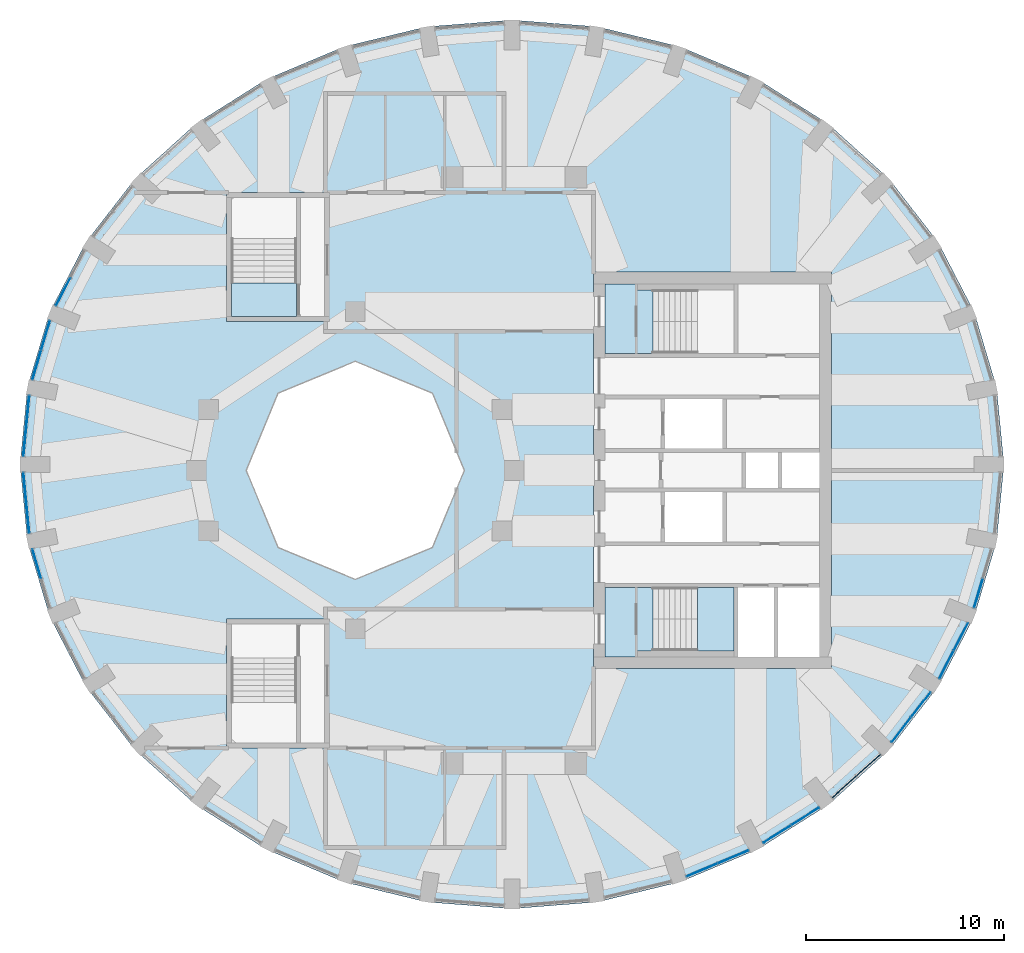
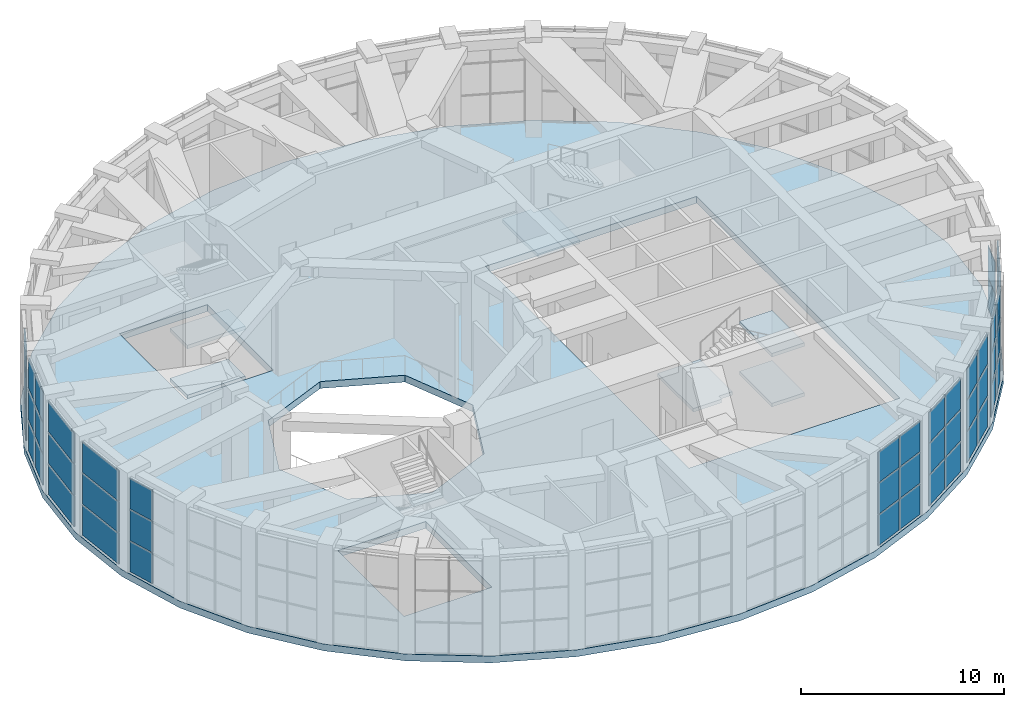
# One storey, part 13 of 20: 50 plates, 7 slabs, 14 elements without a shape of their own.
"""IFC4 building model written with IfcOpenShell, lengths in metres."""

from ifc_helpers import new_model, si_unit, direction, frame, origin, origin_2d, place, context, subcontext, project, spatial, polyline, rectangle, outline, extrude, material, layer, layer_set, type_object, element, aggregate, save


model = new_model("IFC4")

# Units and contexts
model_context = context("Model", 3, precision=1e-05, world=origin(), true_north=direction((0.0, 1.0)))
body_context = subcontext(model_context, "Body", "Model", "MODEL_VIEW")
ifc_project = project(units=[si_unit("LENGTHUNIT", "METRE"), si_unit("AREAUNIT", "SQUARE_METRE"), si_unit("VOLUMEUNIT", "CUBIC_METRE"), si_unit("PLANEANGLEUNIT", "RADIAN"), si_unit("MASSUNIT", "GRAM", prefix="KILO")], contexts=[model_context])

# Site, building, storey
site_placement = place(None, origin())
site = spatial("IfcSite", under=ifc_project, at=site_placement, CompositionType="ELEMENT")
building_placement = place(site_placement, origin())
building = spatial("IfcBuilding", under=site, at=building_placement, Name="Taillehof Tower", CompositionType="ELEMENT")
storey_placement = place(building_placement, frame((0.0, 0.0, 269.199951171875)))
storey = spatial("IfcBuildingStorey", under=building, at=storey_placement, Name="L76", CompositionType="ELEMENT", Elevation=269.199951171875)

# Slab
ifc_material_1 = material(Name="Concrete C40/50", Category="concrete")
ifc_layer_1 = layer(ifc_material_1, 0.409912109375)
ifc_layer_set_1 = layer_set([ifc_layer_1], Name="Floor slab 410")
slab_type_1 = type_object("IfcSlabType", Name="Floor slab 410", PredefinedType="FLOOR", material=ifc_layer_set_1)
slab_1_placement = place(storey_placement, frame((0.0, 0.0, -0.409912109375)))
element("IfcSlab", 1, at=slab_1_placement, inside=storey, type_object=slab_type_1, Name="Floor slab L76", PredefinedType="FLOOR", context=body_context, shape_type="SweptSolid", body=[
    extrude(outline(polyline([(24.699951171875, 0.300048828125), (24.3232421875, 4.189697265625), (23.204345703125, 7.961181640625), (21.37744140625, 11.5), (18.89794921875, 14.698486328125), (15.841064453125, 17.45947265625), (12.300048828125, 19.698974609375), (8.382080078125, 21.34912109375), (4.20654296875, 22.359619140625), (-0.10009765625, 22.699951171875), (-4.406494140625, 22.359619140625), (-8.58203125, 21.34912109375), (-12.5, 19.698974609375), (-16.041015625, 17.45947265625), (-19.097900390625, 14.698486328125), (-21.577392578125, 11.5), (-23.404296875, 7.961181640625), (-24.523193359375, 4.189697265625), (-24.89990234375, 0.300048828125), (-24.523193359375, -3.589599609375), (-23.404296875, -7.361328125), (-21.577392578125, -10.89990234375), (-19.097900390625, -14.098388671875), (-16.041015625, -16.859375), (-12.5, -19.09912109375), (-8.58203125, -20.7490234375), (-4.406494140625, -21.759765625), (-0.10009765625, -22.10009765625), (4.20654296875, -21.759765625), (8.382080078125, -20.7490234375), (12.300048828125, -19.09912109375), (15.841064453125, -16.859375), (18.89794921875, -14.098388671875), (21.37744140625, -10.89990234375), (23.204345703125, -7.361328125), (24.3232421875, -3.589599609375), (24.699951171875, 0.300048828125)]), holes=[polyline([(-14.5, -7.5), (-9.5, -7.5), (-9.5, -14.0), (-14.5, -14.0), (-14.5, -7.5)]), polyline([(-8.0, -5.5), (-11.88916015625, -3.88916015625), (-13.5, 0.0), (-11.88916015625, 3.88916015625), (-8.0, 5.5), (-4.11083984375, 3.88916015625), (-2.5, 0.0), (-4.11083984375, -3.88916015625), (-8.0, -5.5)]), polyline([(16.0, 10.0), (16.0, -10.0), (4.0, -10.0), (4.0, 10.0), (16.0, 10.0)]), polyline([(-14.5, 14.0), (-9.5, 14.0), (-9.5, 7.5), (-14.5, 7.5), (-14.5, 14.0)])]), origin(), (0.0, 0.0, 1.0), 0.409912109375),
])

# Curtain wall, plates
ifc_material_2 = material(Name="Aluminium curtain wall with Clear toughened laminated glass", Category="aluminium")
curtain_wall_type = type_object("IfcCurtainWallType", Name="Observation deck curtain wall", PredefinedType="USERDEFINED", material=ifc_material_2)
curtain_wall_1_placement = place(storey_placement, origin())
curtain_wall_1 = element("IfcCurtainWall", 2, at=curtain_wall_1_placement, inside=storey, type_object=curtain_wall_type, Name="Observation deck L76 bay 16", ObjectType="WINDOW WALL", PredefinedType="USERDEFINED")
ifc_material_3 = material(Name="Clear toughened laminated glass", Category="glass")
ifc_layer_2 = layer(ifc_material_3, 0.0400390625)
ifc_layer_set_2 = layer_set([ifc_layer_2], Name="Observation deck glass panel 40")
plate_type = type_object("IfcPlateType", Name="Observation deck glass panel 40", PredefinedType="CURTAIN_PANEL", material=ifc_layer_set_2)
plate_1_placement = place(storey_placement, frame((-22.7255859375, 8.995361328125, 0.0400390625), z_axis=(0.0, 0.0, 1.0), x_axis=(-0.459891218474, -0.887975262702, 0.0)))
plate_1 = element("IfcPlate", 3, at=plate_1_placement, type_object=plate_type, Name="CT6E16 panel 2.1", PredefinedType="CURTAIN_PANEL", context=body_context, shape_type="SweptSolid", body=[
    extrude(rectangle(XDim=1.541748046875, YDim=0.0400390625, at=origin_2d()), origin(), (0.0, 0.0, 1.0), 1.840087890625),
])
plate_2_placement = place(storey_placement, frame((-22.7255859375, 8.995361328125, 1.919921875), z_axis=(0.0, 0.0, 1.0), x_axis=(-0.459891218474, -0.887975262702, 0.0)))
plate_2 = element("IfcPlate", 4, at=plate_2_placement, type_object=plate_type, Name="CT6E16 panel 2.2", PredefinedType="CURTAIN_PANEL", context=body_context, shape_type="SweptSolid", body=[
    extrude(rectangle(XDim=1.541748046875, YDim=0.0400390625, at=origin_2d()), origin(), (0.0, 0.0, 1.0), 1.860107421875),
])
plate_3_placement = place(storey_placement, frame((-22.7255859375, 8.995361328125, 3.81982421875), z_axis=(0.0, 0.0, 1.0), x_axis=(-0.459891218474, -0.887975262702, 0.0)))
plate_3 = element("IfcPlate", 5, at=plate_3_placement, type_object=plate_type, Name="CT6E16 panel 2.3", PredefinedType="CURTAIN_PANEL", context=body_context, shape_type="SweptSolid", body=[
    extrude(rectangle(XDim=1.541748046875, YDim=0.0400390625, at=origin_2d()), origin(), (0.0, 0.0, 1.0), 1.840087890625),
])
aggregate(curtain_wall_1, [plate_1, plate_2, plate_3])

curtain_wall_2_placement = place(storey_placement, origin())
curtain_wall_2 = element("IfcCurtainWall", 6, at=curtain_wall_2_placement, inside=storey, type_object=curtain_wall_type, Name="Observation deck L76 bay 17", ObjectType="WINDOW WALL", PredefinedType="USERDEFINED")
plate_4_placement = place(storey_placement, frame((-23.611083984375, 6.80419921875, 0.0400390625), z_axis=(0.0, 0.0, 1.0), x_axis=(-0.285235558707, -0.958457446134, 0.0)))
plate_4 = element("IfcPlate", 7, at=plate_4_placement, type_object=plate_type, Name="CT6E17 panel 1.1", PredefinedType="CURTAIN_PANEL", context=body_context, shape_type="SweptSolid", body=[
    extrude(rectangle(XDim=1.5185546875, YDim=0.0400390625, at=origin_2d()), origin(), (0.0, 0.0, 1.0), 1.840087890625),
])
plate_5_placement = place(storey_placement, frame((-23.611083984375, 6.80419921875, 1.919921875), z_axis=(0.0, 0.0, 1.0), x_axis=(-0.285235558707, -0.958457446134, 0.0)))
plate_5 = element("IfcPlate", 8, at=plate_5_placement, type_object=plate_type, Name="CT6E17 panel 1.2", PredefinedType="CURTAIN_PANEL", context=body_context, shape_type="SweptSolid", body=[
    extrude(rectangle(XDim=1.5185546875, YDim=0.0400390625, at=origin_2d()), origin(), (0.0, 0.0, 1.0), 1.860107421875),
])
plate_6_placement = place(storey_placement, frame((-23.611083984375, 6.80419921875, 3.81982421875), z_axis=(0.0, 0.0, 1.0), x_axis=(-0.285235558707, -0.958457446134, 0.0)))
plate_6 = element("IfcPlate", 9, at=plate_6_placement, type_object=plate_type, Name="CT6E17 panel 1.3", PredefinedType="CURTAIN_PANEL", context=body_context, shape_type="SweptSolid", body=[
    extrude(rectangle(XDim=1.5185546875, YDim=0.0400390625, at=origin_2d()), origin(), (0.0, 0.0, 1.0), 1.840087890625),
])
plate_7_placement = place(storey_placement, frame((-24.0556640625, 5.310302734375, 0.0400390625), z_axis=(0.0, 0.0, 1.0), x_axis=(-0.285235558707, -0.958457446134, 0.0)))
plate_7 = element("IfcPlate", 10, at=plate_7_placement, type_object=plate_type, Name="CT6E17 panel 2.1", PredefinedType="CURTAIN_PANEL", context=body_context, shape_type="SweptSolid", body=[
    extrude(rectangle(XDim=1.5185546875, YDim=0.0400390625, at=origin_2d()), origin(), (0.0, 0.0, 1.0), 1.840087890625),
])
plate_8_placement = place(storey_placement, frame((-24.0556640625, 5.310302734375, 1.919921875), z_axis=(0.0, 0.0, 1.0), x_axis=(-0.285235558707, -0.958457446134, 0.0)))
plate_8 = element("IfcPlate", 11, at=plate_8_placement, type_object=plate_type, Name="CT6E17 panel 2.2", PredefinedType="CURTAIN_PANEL", context=body_context, shape_type="SweptSolid", body=[
    extrude(rectangle(XDim=1.5185546875, YDim=0.0400390625, at=origin_2d()), origin(), (0.0, 0.0, 1.0), 1.860107421875),
])
plate_9_placement = place(storey_placement, frame((-24.0556640625, 5.310302734375, 3.81982421875), z_axis=(0.0, 0.0, 1.0), x_axis=(-0.285235558707, -0.958457446134, 0.0)))
plate_9 = element("IfcPlate", 12, at=plate_9_placement, type_object=plate_type, Name="CT6E17 panel 2.3", PredefinedType="CURTAIN_PANEL", context=body_context, shape_type="SweptSolid", body=[
    extrude(rectangle(XDim=1.5185546875, YDim=0.0400390625, at=origin_2d()), origin(), (0.0, 0.0, 1.0), 1.840087890625),
])
aggregate(curtain_wall_2, [plate_4, plate_5, plate_6, plate_7, plate_8, plate_9])

curtain_wall_3_placement = place(storey_placement, origin())
curtain_wall_3 = element("IfcCurtainWall", 13, at=curtain_wall_3_placement, inside=storey, type_object=curtain_wall_type, Name="Observation deck L76 bay 18", ObjectType="WINDOW WALL", PredefinedType="USERDEFINED")
plate_10_placement = place(storey_placement, frame((-24.5810546875, 2.239013671875, 0.0400390625), z_axis=(0.0, 0.0, 1.0), x_axis=(-0.0967136211, -0.995312250248, 0.0)))
plate_10 = element("IfcPlate", 14, at=plate_10_placement, type_object=plate_type, Name="CT6E18 panel 1.1", PredefinedType="CURTAIN_PANEL", context=body_context, shape_type="SweptSolid", body=[
    extrude(rectangle(XDim=3.052734375, YDim=0.0400390625, at=origin_2d()), origin(), (0.0, 0.0, 1.0), 1.840087890625),
])
plate_11_placement = place(storey_placement, frame((-24.5810546875, 2.239013671875, 1.919921875), z_axis=(0.0, 0.0, 1.0), x_axis=(-0.0967136211, -0.995312250248, 0.0)))
plate_11 = element("IfcPlate", 15, at=plate_11_placement, type_object=plate_type, Name="CT6E18 panel 1.2", PredefinedType="CURTAIN_PANEL", context=body_context, shape_type="SweptSolid", body=[
    extrude(rectangle(XDim=3.052734375, YDim=0.0400390625, at=origin_2d()), origin(), (0.0, 0.0, 1.0), 1.860107421875),
])
plate_12_placement = place(storey_placement, frame((-24.5810546875, 2.239013671875, 3.81982421875), z_axis=(0.0, 0.0, 1.0), x_axis=(-0.0967136211, -0.995312250248, 0.0)))
plate_12 = element("IfcPlate", 16, at=plate_12_placement, type_object=plate_type, Name="CT6E18 panel 1.3", PredefinedType="CURTAIN_PANEL", context=body_context, shape_type="SweptSolid", body=[
    extrude(rectangle(XDim=3.052734375, YDim=0.0400390625, at=origin_2d()), origin(), (0.0, 0.0, 1.0), 1.840087890625),
])
aggregate(curtain_wall_3, [plate_10, plate_11, plate_12])

curtain_wall_4_placement = place(storey_placement, origin())
curtain_wall_4 = element("IfcCurtainWall", 17, at=curtain_wall_4_placement, inside=storey, type_object=curtain_wall_type, Name="Observation deck L76 bay 19", ObjectType="WINDOW WALL", PredefinedType="USERDEFINED")
plate_13_placement = place(storey_placement, frame((-24.5810546875, -1.63916015625, 0.0400390625), z_axis=(0.0, 0.0, 1.0), x_axis=(0.0967136211, -0.995312250248, 0.0)))
plate_13 = element("IfcPlate", 18, at=plate_13_placement, type_object=plate_type, Name="CT6E19 panel 1.1", PredefinedType="CURTAIN_PANEL", context=body_context, shape_type="SweptSolid", body=[
    extrude(rectangle(XDim=3.052734375, YDim=0.0400390625, at=origin_2d()), origin(), (0.0, 0.0, 1.0), 1.840087890625),
])
plate_14_placement = place(storey_placement, frame((-24.5810546875, -1.63916015625, 1.919921875), z_axis=(0.0, 0.0, 1.0), x_axis=(0.0967136211, -0.995312250248, 0.0)))
plate_14 = element("IfcPlate", 19, at=plate_14_placement, type_object=plate_type, Name="CT6E19 panel 1.2", PredefinedType="CURTAIN_PANEL", context=body_context, shape_type="SweptSolid", body=[
    extrude(rectangle(XDim=3.052734375, YDim=0.0400390625, at=origin_2d()), origin(), (0.0, 0.0, 1.0), 1.860107421875),
])
plate_15_placement = place(storey_placement, frame((-24.5810546875, -1.63916015625, 3.81982421875), z_axis=(0.0, 0.0, 1.0), x_axis=(0.0967136211, -0.995312250248, 0.0)))
plate_15 = element("IfcPlate", 20, at=plate_15_placement, type_object=plate_type, Name="CT6E19 panel 1.3", PredefinedType="CURTAIN_PANEL", context=body_context, shape_type="SweptSolid", body=[
    extrude(rectangle(XDim=3.052734375, YDim=0.0400390625, at=origin_2d()), origin(), (0.0, 0.0, 1.0), 1.840087890625),
])
aggregate(curtain_wall_4, [plate_13, plate_14, plate_15])

curtain_wall_5_placement = place(storey_placement, origin())
curtain_wall_5 = element("IfcCurtainWall", 21, at=curtain_wall_5_placement, inside=storey, type_object=curtain_wall_type, Name="Observation deck L76 bay 20", ObjectType="WINDOW WALL", PredefinedType="USERDEFINED")
plate_16_placement = place(storey_placement, frame((-24.0556640625, -4.710205078125, 0.0400390625), z_axis=(0.0, 0.0, 1.0), x_axis=(0.285235558707, -0.958457446134, 0.0)))
plate_16 = element("IfcPlate", 22, at=plate_16_placement, type_object=plate_type, Name="CT6E20 panel 1.1", PredefinedType="CURTAIN_PANEL", context=body_context, shape_type="SweptSolid", body=[
    extrude(rectangle(XDim=1.5185546875, YDim=0.0400390625, at=origin_2d()), origin(), (0.0, 0.0, 1.0), 1.840087890625),
])
plate_17_placement = place(storey_placement, frame((-24.0556640625, -4.710205078125, 1.919921875), z_axis=(0.0, 0.0, 1.0), x_axis=(0.285235558707, -0.958457446134, 0.0)))
plate_17 = element("IfcPlate", 23, at=plate_17_placement, type_object=plate_type, Name="CT6E20 panel 1.2", PredefinedType="CURTAIN_PANEL", context=body_context, shape_type="SweptSolid", body=[
    extrude(rectangle(XDim=1.5185546875, YDim=0.0400390625, at=origin_2d()), origin(), (0.0, 0.0, 1.0), 1.860107421875),
])
plate_18_placement = place(storey_placement, frame((-24.0556640625, -4.710205078125, 3.81982421875), z_axis=(0.0, 0.0, 1.0), x_axis=(0.285235558707, -0.958457446134, 0.0)))
plate_18 = element("IfcPlate", 24, at=plate_18_placement, type_object=plate_type, Name="CT6E20 panel 1.3", PredefinedType="CURTAIN_PANEL", context=body_context, shape_type="SweptSolid", body=[
    extrude(rectangle(XDim=1.5185546875, YDim=0.0400390625, at=origin_2d()), origin(), (0.0, 0.0, 1.0), 1.840087890625),
])
aggregate(curtain_wall_5, [plate_16, plate_17, plate_18])

curtain_wall_6_placement = place(storey_placement, origin())
curtain_wall_6 = element("IfcCurtainWall", 25, at=curtain_wall_6_placement, inside=storey, type_object=curtain_wall_type, Name="Observation deck L76 bay 30", ObjectType="WINDOW WALL", PredefinedType="USERDEFINED")
plate_19_placement = place(storey_placement, frame((9.47705078125, -20.146728515625, 0.0400390625), z_axis=(0.0, 0.0, 1.0), x_axis=(0.922037438233, 0.387100713636, 0.0)))
plate_19 = element("IfcPlate", 26, at=plate_19_placement, type_object=plate_type, Name="CT6E30 panel 1.1", PredefinedType="CURTAIN_PANEL", context=body_context, shape_type="SweptSolid", body=[
    extrude(rectangle(XDim=1.66943359375, YDim=0.0400390625, at=origin_2d()), origin(), (0.0, 0.0, 1.0), 1.840087890625),
])
plate_20_placement = place(storey_placement, frame((9.47705078125, -20.146728515625, 1.919921875), z_axis=(0.0, 0.0, 1.0), x_axis=(0.922037438233, 0.387100713636, 0.0)))
plate_20 = element("IfcPlate", 27, at=plate_20_placement, type_object=plate_type, Name="CT6E30 panel 1.2", PredefinedType="CURTAIN_PANEL", context=body_context, shape_type="SweptSolid", body=[
    extrude(rectangle(XDim=1.66943359375, YDim=0.0400390625, at=origin_2d()), origin(), (0.0, 0.0, 1.0), 1.860107421875),
])
plate_21_placement = place(storey_placement, frame((9.47705078125, -20.146728515625, 3.81982421875), z_axis=(0.0, 0.0, 1.0), x_axis=(0.922037438233, 0.387100713636, 0.0)))
plate_21 = element("IfcPlate", 28, at=plate_21_placement, type_object=plate_type, Name="CT6E30 panel 1.3", PredefinedType="CURTAIN_PANEL", context=body_context, shape_type="SweptSolid", body=[
    extrude(rectangle(XDim=1.66943359375, YDim=0.0400390625, at=origin_2d()), origin(), (0.0, 0.0, 1.0), 1.840087890625),
])
plate_22_placement = place(storey_placement, frame((11.05322265625, -19.485107421875, 0.0400390625), z_axis=(0.0, 0.0, 1.0), x_axis=(0.922037438233, 0.387100713636, 0.0)))
plate_22 = element("IfcPlate", 29, at=plate_22_placement, type_object=plate_type, Name="CT6E30 panel 2.1", PredefinedType="CURTAIN_PANEL", context=body_context, shape_type="SweptSolid", body=[
    extrude(rectangle(XDim=1.66943359375, YDim=0.0400390625, at=origin_2d()), origin(), (0.0, 0.0, 1.0), 1.840087890625),
])
plate_23_placement = place(storey_placement, frame((11.05322265625, -19.485107421875, 1.919921875), z_axis=(0.0, 0.0, 1.0), x_axis=(0.922037438233, 0.387100713636, 0.0)))
plate_23 = element("IfcPlate", 30, at=plate_23_placement, type_object=plate_type, Name="CT6E30 panel 2.2", PredefinedType="CURTAIN_PANEL", context=body_context, shape_type="SweptSolid", body=[
    extrude(rectangle(XDim=1.66943359375, YDim=0.0400390625, at=origin_2d()), origin(), (0.0, 0.0, 1.0), 1.860107421875),
])
plate_24_placement = place(storey_placement, frame((11.05322265625, -19.485107421875, 3.81982421875), z_axis=(0.0, 0.0, 1.0), x_axis=(0.922037438233, 0.387100713636, 0.0)))
plate_24 = element("IfcPlate", 31, at=plate_24_placement, type_object=plate_type, Name="CT6E30 panel 2.3", PredefinedType="CURTAIN_PANEL", context=body_context, shape_type="SweptSolid", body=[
    extrude(rectangle(XDim=1.66943359375, YDim=0.0400390625, at=origin_2d()), origin(), (0.0, 0.0, 1.0), 1.840087890625),
])
aggregate(curtain_wall_6, [plate_19, plate_20, plate_21, plate_22, plate_23, plate_24])

curtain_wall_7_placement = place(storey_placement, origin())
curtain_wall_7 = element("IfcCurtainWall", 32, at=curtain_wall_7_placement, inside=storey, type_object=curtain_wall_type, Name="Observation deck L76 bay 31", ObjectType="WINDOW WALL", PredefinedType="USERDEFINED")
plate_25_placement = place(storey_placement, frame((13.26171875, -18.336669921875, 0.0400390625), z_axis=(0.0, 0.0, 1.0), x_axis=(0.845929695916, 0.533294430468, 0.0)))
plate_25 = element("IfcPlate", 33, at=plate_25_placement, type_object=plate_type, Name="CT6E31 panel 1.1", PredefinedType="CURTAIN_PANEL", context=body_context, shape_type="SweptSolid", body=[
    extrude(rectangle(XDim=1.64013671875, YDim=0.0400390625, at=origin_2d()), origin(), (0.0, 0.0, 1.0), 1.840087890625),
])
plate_26_placement = place(storey_placement, frame((13.26171875, -18.336669921875, 1.919921875), z_axis=(0.0, 0.0, 1.0), x_axis=(0.845929695916, 0.533294430468, 0.0)))
plate_26 = element("IfcPlate", 34, at=plate_26_placement, type_object=plate_type, Name="CT6E31 panel 1.2", PredefinedType="CURTAIN_PANEL", context=body_context, shape_type="SweptSolid", body=[
    extrude(rectangle(XDim=1.64013671875, YDim=0.0400390625, at=origin_2d()), origin(), (0.0, 0.0, 1.0), 1.860107421875),
])
plate_27_placement = place(storey_placement, frame((13.26171875, -18.336669921875, 3.81982421875), z_axis=(0.0, 0.0, 1.0), x_axis=(0.845929695916, 0.533294430468, 0.0)))
plate_27 = element("IfcPlate", 35, at=plate_27_placement, type_object=plate_type, Name="CT6E31 panel 1.3", PredefinedType="CURTAIN_PANEL", context=body_context, shape_type="SweptSolid", body=[
    extrude(rectangle(XDim=1.64013671875, YDim=0.0400390625, at=origin_2d()), origin(), (0.0, 0.0, 1.0), 1.840087890625),
])
plate_28_placement = place(storey_placement, frame((14.682861328125, -17.440673828125, 0.0400390625), z_axis=(0.0, 0.0, 1.0), x_axis=(0.845929695916, 0.533294430468, 0.0)))
plate_28 = element("IfcPlate", 36, at=plate_28_placement, type_object=plate_type, Name="CT6E31 panel 2.1", PredefinedType="CURTAIN_PANEL", context=body_context, shape_type="SweptSolid", body=[
    extrude(rectangle(XDim=1.64013671875, YDim=0.0400390625, at=origin_2d()), origin(), (0.0, 0.0, 1.0), 1.840087890625),
])
plate_29_placement = place(storey_placement, frame((14.682861328125, -17.440673828125, 1.919921875), z_axis=(0.0, 0.0, 1.0), x_axis=(0.845929695916, 0.533294430468, 0.0)))
plate_29 = element("IfcPlate", 37, at=plate_29_placement, type_object=plate_type, Name="CT6E31 panel 2.2", PredefinedType="CURTAIN_PANEL", context=body_context, shape_type="SweptSolid", body=[
    extrude(rectangle(XDim=1.64013671875, YDim=0.0400390625, at=origin_2d()), origin(), (0.0, 0.0, 1.0), 1.860107421875),
])
plate_30_placement = place(storey_placement, frame((14.682861328125, -17.440673828125, 3.81982421875), z_axis=(0.0, 0.0, 1.0), x_axis=(0.845929695916, 0.533294430468, 0.0)))
plate_30 = element("IfcPlate", 38, at=plate_30_placement, type_object=plate_type, Name="CT6E31 panel 2.3", PredefinedType="CURTAIN_PANEL", context=body_context, shape_type="SweptSolid", body=[
    extrude(rectangle(XDim=1.64013671875, YDim=0.0400390625, at=origin_2d()), origin(), (0.0, 0.0, 1.0), 1.840087890625),
])
aggregate(curtain_wall_7, [plate_25, plate_26, plate_27, plate_28, plate_29, plate_30])

curtain_wall_8_placement = place(storey_placement, origin())
curtain_wall_8 = element("IfcCurtainWall", 39, at=curtain_wall_8_placement, inside=storey, type_object=curtain_wall_type, Name="Observation deck L76 bay 32", ObjectType="WINDOW WALL", PredefinedType="USERDEFINED")
plate_31_placement = place(storey_placement, frame((16.643310546875, -15.959228515625, 0.0400390625), z_axis=(0.0, 0.0, 1.0), x_axis=(0.74316593792, 0.669107157872, 0.0)))
plate_31 = element("IfcPlate", 40, at=plate_31_placement, type_object=plate_type, Name="CT6E32 panel 1.1", PredefinedType="CURTAIN_PANEL", context=body_context, shape_type="SweptSolid", body=[
    extrude(rectangle(XDim=1.6064453125, YDim=0.0400390625, at=origin_2d()), origin(), (0.0, 0.0, 1.0), 1.840087890625),
])
plate_32_placement = place(storey_placement, frame((16.643310546875, -15.959228515625, 1.919921875), z_axis=(0.0, 0.0, 1.0), x_axis=(0.74316593792, 0.669107157872, 0.0)))
plate_32 = element("IfcPlate", 41, at=plate_32_placement, type_object=plate_type, Name="CT6E32 panel 1.2", PredefinedType="CURTAIN_PANEL", context=body_context, shape_type="SweptSolid", body=[
    extrude(rectangle(XDim=1.6064453125, YDim=0.0400390625, at=origin_2d()), origin(), (0.0, 0.0, 1.0), 1.860107421875),
])
plate_33_placement = place(storey_placement, frame((16.643310546875, -15.959228515625, 3.81982421875), z_axis=(0.0, 0.0, 1.0), x_axis=(0.74316593792, 0.669107157872, 0.0)))
plate_33 = element("IfcPlate", 42, at=plate_33_placement, type_object=plate_type, Name="CT6E32 panel 1.3", PredefinedType="CURTAIN_PANEL", context=body_context, shape_type="SweptSolid", body=[
    extrude(rectangle(XDim=1.6064453125, YDim=0.0400390625, at=origin_2d()), origin(), (0.0, 0.0, 1.0), 1.840087890625),
])
plate_34_placement = place(storey_placement, frame((17.866943359375, -14.857421875, 0.0400390625), z_axis=(0.0, 0.0, 1.0), x_axis=(0.74316593792, 0.669107157872, 0.0)))
plate_34 = element("IfcPlate", 43, at=plate_34_placement, type_object=plate_type, Name="CT6E32 panel 2.1", PredefinedType="CURTAIN_PANEL", context=body_context, shape_type="SweptSolid", body=[
    extrude(rectangle(XDim=1.6064453125, YDim=0.0400390625, at=origin_2d()), origin(), (0.0, 0.0, 1.0), 1.840087890625),
])
plate_35_placement = place(storey_placement, frame((17.866943359375, -14.857421875, 1.919921875), z_axis=(0.0, 0.0, 1.0), x_axis=(0.74316593792, 0.669107157872, 0.0)))
plate_35 = element("IfcPlate", 44, at=plate_35_placement, type_object=plate_type, Name="CT6E32 panel 2.2", PredefinedType="CURTAIN_PANEL", context=body_context, shape_type="SweptSolid", body=[
    extrude(rectangle(XDim=1.6064453125, YDim=0.0400390625, at=origin_2d()), origin(), (0.0, 0.0, 1.0), 1.860107421875),
])
plate_36_placement = place(storey_placement, frame((17.866943359375, -14.857421875, 3.81982421875), z_axis=(0.0, 0.0, 1.0), x_axis=(0.74316593792, 0.669107157872, 0.0)))
plate_36 = element("IfcPlate", 45, at=plate_36_placement, type_object=plate_type, Name="CT6E32 panel 2.3", PredefinedType="CURTAIN_PANEL", context=body_context, shape_type="SweptSolid", body=[
    extrude(rectangle(XDim=1.6064453125, YDim=0.0400390625, at=origin_2d()), origin(), (0.0, 0.0, 1.0), 1.840087890625),
])
aggregate(curtain_wall_8, [plate_31, plate_32, plate_33, plate_34, plate_35, plate_36])

curtain_wall_9_placement = place(storey_placement, origin())
curtain_wall_9 = element("IfcCurtainWall", 46, at=curtain_wall_9_placement, inside=storey, type_object=curtain_wall_type, Name="Observation deck L76 bay 33", ObjectType="WINDOW WALL", PredefinedType="USERDEFINED")
plate_37_placement = place(storey_placement, frame((19.5185546875, -13.084716796875, 0.0400390625), z_axis=(0.0, 0.0, 1.0), x_axis=(0.613902818005, 0.789381612432, 0.0)))
plate_37 = element("IfcPlate", 47, at=plate_37_placement, type_object=plate_type, Name="CT6E33 panel 1.1", PredefinedType="CURTAIN_PANEL", context=body_context, shape_type="SweptSolid", body=[
    extrude(rectangle(XDim=1.572265625, YDim=0.0400390625, at=origin_2d()), origin(), (0.0, 0.0, 1.0), 1.840087890625),
])
plate_38_placement = place(storey_placement, frame((19.5185546875, -13.084716796875, 1.919921875), z_axis=(0.0, 0.0, 1.0), x_axis=(0.613902818005, 0.789381612432, 0.0)))
plate_38 = element("IfcPlate", 48, at=plate_38_placement, type_object=plate_type, Name="CT6E33 panel 1.2", PredefinedType="CURTAIN_PANEL", context=body_context, shape_type="SweptSolid", body=[
    extrude(rectangle(XDim=1.572265625, YDim=0.0400390625, at=origin_2d()), origin(), (0.0, 0.0, 1.0), 1.860107421875),
])
plate_39_placement = place(storey_placement, frame((19.5185546875, -13.084716796875, 3.81982421875), z_axis=(0.0, 0.0, 1.0), x_axis=(0.613902818005, 0.789381612432, 0.0)))
plate_39 = element("IfcPlate", 49, at=plate_39_placement, type_object=plate_type, Name="CT6E33 panel 1.3", PredefinedType="CURTAIN_PANEL", context=body_context, shape_type="SweptSolid", body=[
    extrude(rectangle(XDim=1.572265625, YDim=0.0400390625, at=origin_2d()), origin(), (0.0, 0.0, 1.0), 1.840087890625),
])
plate_40_placement = place(storey_placement, frame((20.50830078125, -11.81201171875, 0.0400390625), z_axis=(0.0, 0.0, 1.0), x_axis=(0.613902818005, 0.789381612432, 0.0)))
plate_40 = element("IfcPlate", 50, at=plate_40_placement, type_object=plate_type, Name="CT6E33 panel 2.1", PredefinedType="CURTAIN_PANEL", context=body_context, shape_type="SweptSolid", body=[
    extrude(rectangle(XDim=1.572265625, YDim=0.0400390625, at=origin_2d()), origin(), (0.0, 0.0, 1.0), 1.840087890625),
])
plate_41_placement = place(storey_placement, frame((20.50830078125, -11.81201171875, 1.919921875), z_axis=(0.0, 0.0, 1.0), x_axis=(0.613902818005, 0.789381612432, 0.0)))
plate_41 = element("IfcPlate", 51, at=plate_41_placement, type_object=plate_type, Name="CT6E33 panel 2.2", PredefinedType="CURTAIN_PANEL", context=body_context, shape_type="SweptSolid", body=[
    extrude(rectangle(XDim=1.572265625, YDim=0.0400390625, at=origin_2d()), origin(), (0.0, 0.0, 1.0), 1.860107421875),
])
plate_42_placement = place(storey_placement, frame((20.50830078125, -11.81201171875, 3.81982421875), z_axis=(0.0, 0.0, 1.0), x_axis=(0.613902818005, 0.789381612432, 0.0)))
plate_42 = element("IfcPlate", 52, at=plate_42_placement, type_object=plate_type, Name="CT6E33 panel 2.3", PredefinedType="CURTAIN_PANEL", context=body_context, shape_type="SweptSolid", body=[
    extrude(rectangle(XDim=1.572265625, YDim=0.0400390625, at=origin_2d()), origin(), (0.0, 0.0, 1.0), 1.840087890625),
])
aggregate(curtain_wall_9, [plate_37, plate_38, plate_39, plate_40, plate_41, plate_42])

curtain_wall_10_placement = place(storey_placement, origin())
curtain_wall_10 = element("IfcCurtainWall", 53, at=curtain_wall_10_placement, inside=storey, type_object=curtain_wall_type, Name="Observation deck L76 bay 34", ObjectType="WINDOW WALL", PredefinedType="USERDEFINED")
plate_43_placement = place(storey_placement, frame((21.79833984375, -9.7998046875, 0.0400390625), z_axis=(0.0, 0.0, 1.0), x_axis=(0.459891218474, 0.887975262702, 0.0)))
plate_43 = element("IfcPlate", 54, at=plate_43_placement, type_object=plate_type, Name="CT6E34 panel 1.1", PredefinedType="CURTAIN_PANEL", context=body_context, shape_type="SweptSolid", body=[
    extrude(rectangle(XDim=1.541748046875, YDim=0.0400390625, at=origin_2d()), origin(), (0.0, 0.0, 1.0), 1.840087890625),
])
plate_44_placement = place(storey_placement, frame((21.79833984375, -9.7998046875, 1.919921875), z_axis=(0.0, 0.0, 1.0), x_axis=(0.459891218474, 0.887975262702, 0.0)))
plate_44 = element("IfcPlate", 55, at=plate_44_placement, type_object=plate_type, Name="CT6E34 panel 1.2", PredefinedType="CURTAIN_PANEL", context=body_context, shape_type="SweptSolid", body=[
    extrude(rectangle(XDim=1.541748046875, YDim=0.0400390625, at=origin_2d()), origin(), (0.0, 0.0, 1.0), 1.860107421875),
])
plate_45_placement = place(storey_placement, frame((21.79833984375, -9.7998046875, 3.81982421875), z_axis=(0.0, 0.0, 1.0), x_axis=(0.459891218474, 0.887975262702, 0.0)))
plate_45 = element("IfcPlate", 56, at=plate_45_placement, type_object=plate_type, Name="CT6E34 panel 1.3", PredefinedType="CURTAIN_PANEL", context=body_context, shape_type="SweptSolid", body=[
    extrude(rectangle(XDim=1.541748046875, YDim=0.0400390625, at=origin_2d()), origin(), (0.0, 0.0, 1.0), 1.840087890625),
])
plate_46_placement = place(storey_placement, frame((22.525634765625, -8.395263671875, 0.0400390625), z_axis=(0.0, 0.0, 1.0), x_axis=(0.459891218474, 0.887975262702, 0.0)))
plate_46 = element("IfcPlate", 57, at=plate_46_placement, type_object=plate_type, Name="CT6E34 panel 2.1", PredefinedType="CURTAIN_PANEL", context=body_context, shape_type="SweptSolid", body=[
    extrude(rectangle(XDim=1.541748046875, YDim=0.0400390625, at=origin_2d()), origin(), (0.0, 0.0, 1.0), 1.840087890625),
])
plate_47_placement = place(storey_placement, frame((22.525634765625, -8.395263671875, 1.919921875), z_axis=(0.0, 0.0, 1.0), x_axis=(0.459891218474, 0.887975262702, 0.0)))
plate_47 = element("IfcPlate", 58, at=plate_47_placement, type_object=plate_type, Name="CT6E34 panel 2.2", PredefinedType="CURTAIN_PANEL", context=body_context, shape_type="SweptSolid", body=[
    extrude(rectangle(XDim=1.541748046875, YDim=0.0400390625, at=origin_2d()), origin(), (0.0, 0.0, 1.0), 1.860107421875),
])
plate_48_placement = place(storey_placement, frame((22.525634765625, -8.395263671875, 3.81982421875), z_axis=(0.0, 0.0, 1.0), x_axis=(0.459891218474, 0.887975262702, 0.0)))
plate_48 = element("IfcPlate", 59, at=plate_48_placement, type_object=plate_type, Name="CT6E34 panel 2.3", PredefinedType="CURTAIN_PANEL", context=body_context, shape_type="SweptSolid", body=[
    extrude(rectangle(XDim=1.541748046875, YDim=0.0400390625, at=origin_2d()), origin(), (0.0, 0.0, 1.0), 1.840087890625),
])
aggregate(curtain_wall_10, [plate_43, plate_44, plate_45, plate_46, plate_47, plate_48])

curtain_wall_11_placement = place(storey_placement, origin())
curtain_wall_11 = element("IfcCurtainWall", 60, at=curtain_wall_11_placement, inside=storey, type_object=curtain_wall_type, Name="Observation deck L76 bay 35", ObjectType="WINDOW WALL", PredefinedType="USERDEFINED")
plate_49_placement = place(storey_placement, frame((23.4111328125, -6.2041015625, 0.0400390625), z_axis=(0.0, 0.0, 1.0), x_axis=(0.285235558707, 0.958457446134, 0.0)))
plate_49 = element("IfcPlate", 61, at=plate_49_placement, type_object=plate_type, Name="CT6E35 panel 1.1", PredefinedType="CURTAIN_PANEL", context=body_context, shape_type="SweptSolid", body=[
    extrude(rectangle(XDim=1.5185546875, YDim=0.0400390625, at=origin_2d()), origin(), (0.0, 0.0, 1.0), 1.840087890625),
])
plate_50_placement = place(storey_placement, frame((23.4111328125, -6.2041015625, 1.919921875), z_axis=(0.0, 0.0, 1.0), x_axis=(0.285235558707, 0.958457446134, 0.0)))
plate_50 = element("IfcPlate", 62, at=plate_50_placement, type_object=plate_type, Name="CT6E35 panel 1.2", PredefinedType="CURTAIN_PANEL", context=body_context, shape_type="SweptSolid", body=[
    extrude(rectangle(XDim=1.5185546875, YDim=0.0400390625, at=origin_2d()), origin(), (0.0, 0.0, 1.0), 1.860107421875),
])
aggregate(curtain_wall_11, [plate_49, plate_50])

# Stair, slab
ifc_material_4 = material(Name="Concrete C40/50", Category="concrete")
stair_type = type_object("IfcStairType", Name="Exit stair half-turn", PredefinedType="HALF_TURN_STAIR", material=ifc_material_4)
stair_1_placement = place(storey_placement, origin())
stair_1 = element("IfcStair", 63, at=stair_1_placement, inside=storey, type_object=stair_type, Name="Exit stair S1", PredefinedType="HALF_TURN_STAIR")
ifc_material_5 = material(Name="Concrete C40/50", Category="concrete")
ifc_layer_3 = layer(ifc_material_5, 0.2099609375)
ifc_layer_set_3 = layer_set([ifc_layer_3], Name="Stair landing C40/50 210")
slab_type_2 = type_object("IfcSlabType", Name="Stair landing C40/50 210", PredefinedType="LANDING", material=ifc_layer_set_3)
slab_2_placement = place(storey_placement, frame((0.0, 0.0, 2.7900390625)))
slab_2 = element("IfcSlab", 64, at=slab_2_placement, type_object=slab_type_2, Name="S1 landing 2", PredefinedType="LANDING", context=body_context, shape_type="SweptSolid", body=[
    extrude(outline(polyline([(4.60009765625, 5.89990234375), (7.0, 5.89990234375), (7.0, 9.10009765625), (6.219970703125, 9.10009765625), (6.219970703125, 9.39990234375), (4.60009765625, 9.39990234375), (4.60009765625, 5.89990234375)])), origin(), (0.0, 0.0, 1.0), 0.2099609375),
])
aggregate(stair_1, [slab_2])

# Stair, slabs
stair_2_placement = place(storey_placement, origin())
stair_2 = element("IfcStair", 65, at=stair_2_placement, inside=storey, type_object=stair_type, Name="Exit stair S2", PredefinedType="HALF_TURN_STAIR")
slab_3_placement = place(storey_placement, frame((0.0, 0.0, 1.2900390625)))
slab_3 = element("IfcSlab", 66, at=slab_3_placement, type_object=slab_type_2, Name="S2 landing 1", PredefinedType="LANDING", context=body_context, shape_type="SweptSolid", body=[
    extrude(outline(polyline([(9.239990234375, -5.89990234375), (11.10009765625, -5.89990234375), (11.10009765625, -9.10009765625), (9.239990234375, -9.10009765625), (9.239990234375, -5.89990234375)])), origin(), (0.0, 0.0, 1.0), 0.2099609375),
])
slab_4_placement = place(storey_placement, frame((0.0, 0.0, 2.7900390625)))
slab_4 = element("IfcSlab", 67, at=slab_4_placement, type_object=slab_type_2, Name="S2 landing 2", PredefinedType="LANDING", context=body_context, shape_type="SweptSolid", body=[
    extrude(outline(polyline([(4.60009765625, -5.89990234375), (7.0, -5.89990234375), (7.0, -9.10009765625), (6.219970703125, -9.10009765625), (6.219970703125, -9.39990234375), (4.60009765625, -9.39990234375), (4.60009765625, -5.89990234375)])), origin(), (0.0, 0.0, 1.0), 0.2099609375),
])
slab_5_placement = place(storey_placement, frame((0.0, 0.0, 4.2900390625)))
slab_5 = element("IfcSlab", 68, at=slab_5_placement, type_object=slab_type_2, Name="S2 landing 3", PredefinedType="LANDING", context=body_context, shape_type="SweptSolid", body=[
    extrude(outline(polyline([(9.239990234375, -5.89990234375), (11.10009765625, -5.89990234375), (11.10009765625, -9.10009765625), (9.239990234375, -9.10009765625), (9.239990234375, -5.89990234375)])), origin(), (0.0, 0.0, 1.0), 0.2099609375),
])
aggregate(stair_2, [slab_3, slab_4, slab_5])

# Stair, slab
stair_3_placement = place(storey_placement, origin())
stair_3 = element("IfcStair", 69, at=stair_3_placement, inside=storey, type_object=stair_type, Name="Exit stair S3", PredefinedType="HALF_TURN_STAIR")
slab_6_placement = place(storey_placement, frame((0.0, 0.0, 2.7900390625)))
slab_6 = element("IfcSlab", 70, at=slab_6_placement, type_object=slab_type_2, Name="S3 landing 2", PredefinedType="LANDING", context=body_context, shape_type="SweptSolid", body=[
    extrude(outline(polyline([(-14.25, 7.75), (-14.25, 9.449951171875), (-10.949951171875, 9.449951171875), (-10.949951171875, 7.75), (-14.25, 7.75)])), origin(), (0.0, 0.0, 1.0), 0.2099609375),
])
aggregate(stair_3, [slab_6])

# Slab
slab_7_placement = place(storey_placement, frame((0.0, 0.0, -0.2099609375)))
element("IfcSlab", 71, at=slab_7_placement, inside=storey, type_object=slab_type_2, Name="Stair S3 floor landing", PredefinedType="LANDING", context=body_context, shape_type="SweptSolid", body=[
    extrude(outline(polyline([(-14.25, 7.75), (-14.25, 9.449951171875), (-10.949951171875, 9.449951171875), (-10.949951171875, 7.75), (-14.25, 7.75)])), origin(), (0.0, 0.0, 1.0), 0.2099609375),
])

save(model, "model.ifc")
